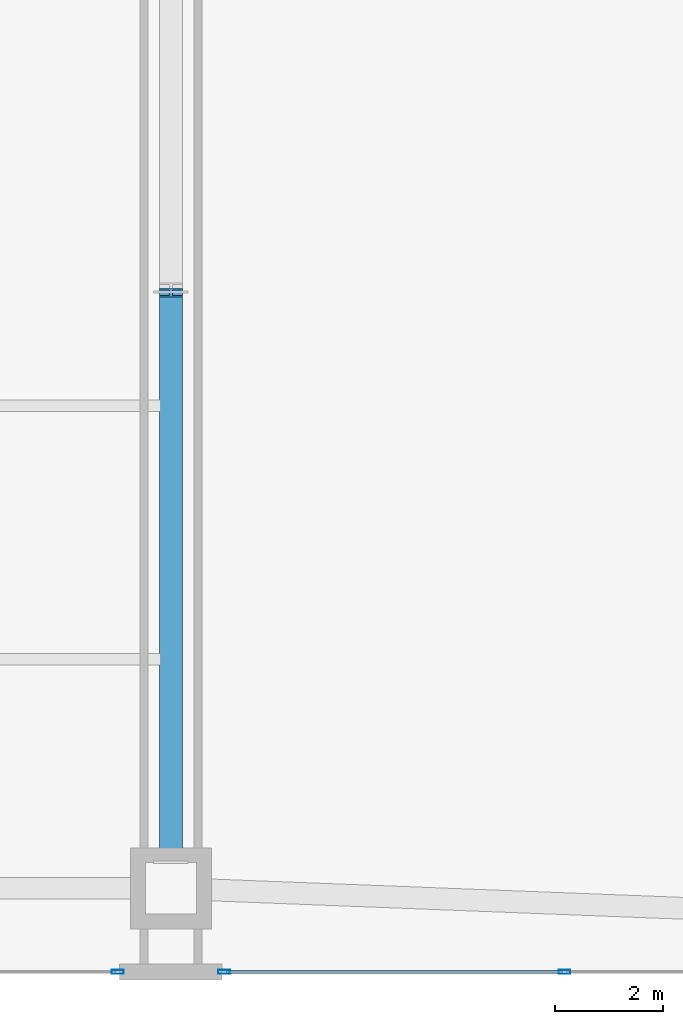
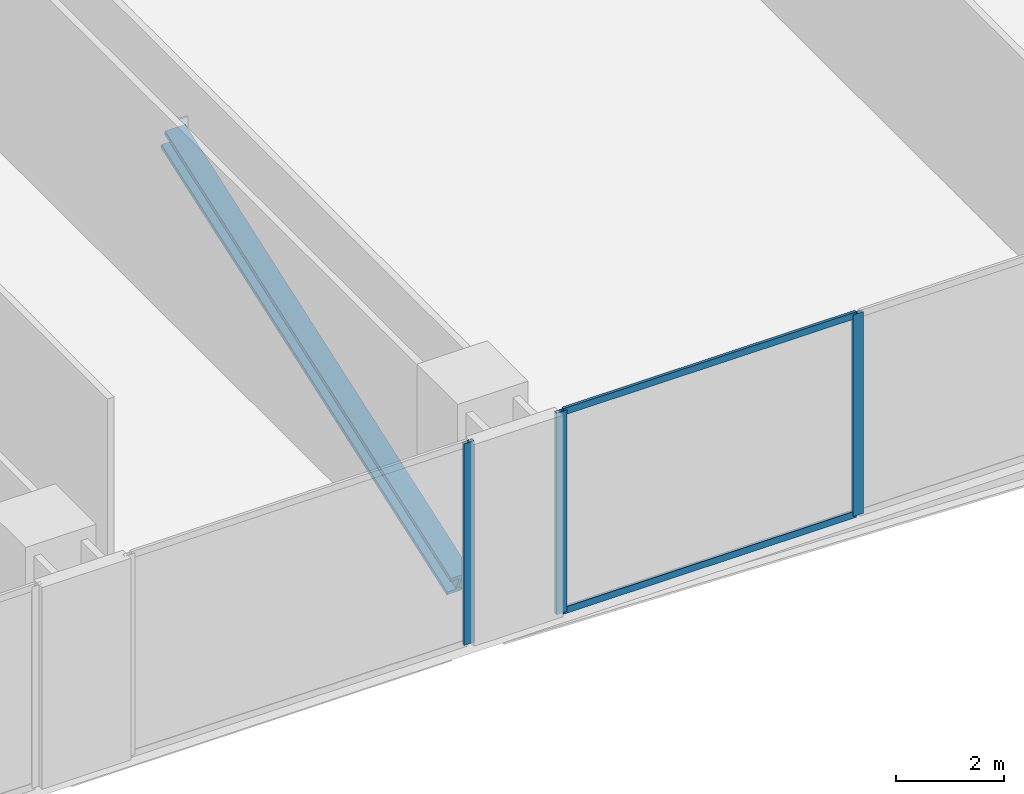
# One storey, part 11 of 33: 6 members, 2 elements without a shape of their own.
"""IFC4 building model written with IfcOpenShell, lengths in metres."""

import ifcopenshell
import ifcopenshell.guid

model = None  # the IFC model being written
_history = None  # IfcOwnerHistory: only IFC2X3 demands one
_inside = {}  # id of a spatial element -> (the spatial element, [elements in it])
_under = {}  # id of a project, library or spatial element -> (it, [spatial elements below it])
_declared = {}  # id of a project -> (the project, [libraries it declares])
_typed = {}  # id of a type object -> (the type object, [elements of that type])
_made_of = {}  # id of a material, layer set ... -> (it, [elements and type objects made of it])


def new_model(schema):
    """Start an empty IFC model of exactly this schema.

    Asked for "IFC4X3", IfcOpenShell would pick the latest addendum, in which some entities
    have other attributes; the version numbers below select the first issue.
    IFC2X3 requires an IfcOwnerHistory on every rooted entity: one is made here for all.
    """
    global model, _history
    if schema == "IFC4X3":
        model = ifcopenshell.file(schema_version=(4, 3, 0, 0))
    else:
        model = ifcopenshell.file(schema=schema)
    _inside.clear()
    _under.clear()
    _declared.clear()
    _typed.clear()
    _made_of.clear()
    _history = None
    if model.schema == "IFC2X3":
        org = make("IfcOrganization", Name="unknown")
        user = make(
            "IfcPersonAndOrganization",
            ThePerson=make("IfcPerson", FamilyName="unknown"),
            TheOrganization=org,
        )
        app = make(
            "IfcApplication",
            ApplicationDeveloper=org,
            Version="unknown",
            ApplicationFullName="unknown",
            ApplicationIdentifier="unknown",
        )
        _history = make(
            "IfcOwnerHistory",
            OwningUser=user,
            OwningApplication=app,
            ChangeAction="ADDED",
            CreationDate=0,
        )
    return model


def make(cls, **values):
    """One entity of the class cls with the attributes given. An attribute that is None is left unset."""
    return model.create_entity(
        cls, **{name: value for name, value in values.items() if value is not None}
    )


def rooted(cls, **values):
    """An entity with a GlobalId (a new one), such as an element, a storey or a relation."""
    return make(cls, GlobalId=ifcopenshell.guid.new(), OwnerHistory=_history, **values)


def si_unit(unit_type, name, prefix=None):
    """IfcSIUnit, for example si_unit("LENGTHUNIT", "METRE", prefix="MILLI")."""
    return make("IfcSIUnit", UnitType=unit_type, Prefix=prefix, Name=name)


def assignment(units):
    """IfcUnitAssignment: the units of a project."""
    return None if units is None else make("IfcUnitAssignment", Units=units)


def point(xyz):
    """IfcCartesianPoint."""
    return None if xyz is None else make("IfcCartesianPoint", Coordinates=xyz)


def direction(xyz):
    """IfcDirection."""
    return None if xyz is None else make("IfcDirection", DirectionRatios=xyz)


def frame(location, z_axis=None, x_axis=None):
    """IfcAxis2Placement3D, a coordinate frame: its origin and axes. An axis left out is left unset."""
    return make(
        "IfcAxis2Placement3D",
        Location=point(location),
        Axis=direction(z_axis),
        RefDirection=direction(x_axis),
    )


def frame_2d(location, x_axis=None):
    """IfcAxis2Placement2D, a coordinate frame in the plane: its origin and x axis."""
    return make(
        "IfcAxis2Placement2D", Location=point(location), RefDirection=direction(x_axis)
    )


def origin():
    """The frame at (0, 0, 0) with its axes left unset."""
    return frame((0.0, 0.0, 0.0))


def origin_2d():
    """The frame at (0, 0) in the plane with its x axis left unset."""
    return frame_2d((0.0, 0.0))


def place(relative_to, where):
    """IfcLocalPlacement: puts the frame where relative to a parent placement (None: the world)."""
    return make(
        "IfcLocalPlacement", PlacementRelTo=relative_to, RelativePlacement=where
    )


def context(
    kind, dimensions, precision=None, world=None, true_north=None, identifier=None
):
    """IfcGeometricRepresentationContext, for example the 3D "Model" context."""
    return make(
        "IfcGeometricRepresentationContext",
        ContextIdentifier=identifier,
        ContextType=kind,
        CoordinateSpaceDimension=dimensions,
        Precision=precision,
        WorldCoordinateSystem=world,
        TrueNorth=true_north,
    )


def subcontext(parent, identifier, kind, view, scale=None):
    """IfcGeometricRepresentationSubContext, for example "Body" below "Model"."""
    return make(
        "IfcGeometricRepresentationSubContext",
        ContextIdentifier=identifier,
        ContextType=kind,
        ParentContext=parent,
        TargetScale=scale,
        TargetView=view,
    )


def project(units=None, contexts=None):
    """IfcProject with its units and contexts."""
    return rooted(
        "IfcProject",
        Name="project",
        RepresentationContexts=contexts,
        UnitsInContext=assignment(units),
    )


def spatial(cls, under=None, at=None, **own):
    """A site, building, storey or space (cls), placed at a placement, below another one or the project."""
    s = rooted(cls, ObjectPlacement=at, **own)
    if under is not None:
        _under.setdefault(under.id(), (under, []))[1].append(s)
    return s


def profile(cls, at=None, kind="AREA", **sizes):
    """A parametric profile (cls). Its sizes go by their IFC names, for example OverallWidth=200.0."""
    return make(cls, ProfileType=kind, Position=at, **sizes)


def hollow_rectangle(**sizes):
    """IfcRectangleHollowProfileDef."""
    return profile("IfcRectangleHollowProfileDef", **sizes)


def i_section(**sizes):
    """IfcIShapeProfileDef."""
    return profile("IfcIShapeProfileDef", **sizes)


def extrude(swept, where, along, depth):
    """IfcExtrudedAreaSolid: the profile swept, set in the frame where, extruded along a direction by depth."""
    return make(
        "IfcExtrudedAreaSolid",
        SweptArea=swept,
        Position=where,
        ExtrudedDirection=direction(along),
        Depth=depth,
    )


def shape(context_of_items, identifier, shape_type, items):
    """IfcShapeRepresentation: the items that make up one representation, for example the "Body"."""
    return make(
        "IfcShapeRepresentation",
        ContextOfItems=context_of_items,
        RepresentationIdentifier=identifier,
        RepresentationType=shape_type,
        Items=items,
    )


def material(Name=None, Category=None):
    """IfcMaterial."""
    return make("IfcMaterial", Name=Name, Category=Category)


def layer(
    of_material, thickness, ventilated=None, Name=None, Category=None, Priority=None
):
    """IfcMaterialLayer: one layer of a wall or slab, of a material (None: an air gap)."""
    return make(
        "IfcMaterialLayer",
        Material=of_material,
        LayerThickness=thickness,
        IsVentilated=ventilated,
        Name=Name,
        Category=Category,
        Priority=Priority,
    )


def layer_set(layers, Name=None):
    """IfcMaterialLayerSet."""
    return make("IfcMaterialLayerSet", MaterialLayers=layers, LayerSetName=Name)


def material_profile(
    of_material, cross_section, Name=None, Category=None, Priority=None
):
    """IfcMaterialProfile: a cross section and its material."""
    return make(
        "IfcMaterialProfile",
        Name=Name,
        Material=of_material,
        Profile=cross_section,
        Priority=Priority,
        Category=Category,
    )


def profile_set(profiles, Name=None, composite=None):
    """IfcMaterialProfileSet."""
    return make(
        "IfcMaterialProfileSet",
        Name=Name,
        MaterialProfiles=profiles,
        CompositeProfile=composite,
    )


def made_of(thing, what):
    """Note that an element or type object is made of a material, layer set ...; save() writes the relation."""
    if what is not None:
        _made_of.setdefault(what.id(), (what, []))[1].append(thing)
    return thing


def type_object(cls, material=None, **own):
    """A type object (cls), such as IfcWallType, which elements share."""
    return made_of(rooted(cls, **own), material)


def element(
    cls,
    number,
    at=None,
    inside=None,
    cuts=None,
    type_object=None,
    material=None,
    context=None,
    identifier="Body",
    shape_type=None,
    held_by="IfcProductDefinitionShape",
    body=None,
    shapes=None,
    **own,
):
    """One element of the class cls, such as IfcWall. Its Tag is "e" and its number.

    at: its placement. inside: the storey or other place that contains it. cuts: it is an
    opening in that element (IfcRelVoidsElement). A single representation is given by context,
    identifier, shape_type and body (its items); several are given by shapes. held_by: the class
    of the entity that holds the representations. save() writes the other relations.
    """
    e = rooted(cls, Tag="e%d" % number, ObjectPlacement=at, **own)
    if body is not None:
        shapes = [shape(context, identifier, shape_type, body)]
    if shapes is not None:
        e.Representation = make(held_by, Representations=shapes)
    if inside is not None:
        _inside.setdefault(inside.id(), (inside, []))[1].append(e)
    if cuts is not None:
        rooted(
            "IfcRelVoidsElement", RelatingBuildingElement=cuts, RelatedOpeningElement=e
        )
    if type_object is not None:
        _typed.setdefault(type_object.id(), (type_object, []))[1].append(e)
    return made_of(e, material)


def aggregate(whole, parts):
    """IfcRelAggregates: a whole, such as a stair, and the parts it consists of."""
    return rooted("IfcRelAggregates", RelatingObject=whole, RelatedObjects=parts)


def save(model, path):
    """Write the relations noted so far, then the file.

    IfcRelAggregates (storeys below a building ...), IfcRelContainedInSpatialStructure (elements
    in a storey), IfcRelDefinesByType, IfcRelAssociatesMaterial and IfcRelDeclares: one each for
    every whole, place, type object, material and project.
    """
    for whole, parts in _under.values():
        aggregate(whole, parts)
    for where, things in _inside.values():
        rooted(
            "IfcRelContainedInSpatialStructure",
            RelatedElements=things,
            RelatingStructure=where,
        )
    for kind, things in _typed.values():
        rooted("IfcRelDefinesByType", RelatedObjects=things, RelatingType=kind)
    for what, things in _made_of.values():
        rooted("IfcRelAssociatesMaterial", RelatedObjects=things, RelatingMaterial=what)
    for by, libraries in _declared.values():
        rooted("IfcRelDeclares", RelatingContext=by, RelatedDefinitions=libraries)
    model.write(path)


model = new_model("IFC4")

# Units and contexts
model_context = context("Model", 3, precision=1e-05, world=origin(), true_north=direction((0.0, 1.0)))
body_context = subcontext(model_context, "Body", "Model", "MODEL_VIEW")
ifc_project = project(units=[si_unit("LENGTHUNIT", "METRE"), si_unit("AREAUNIT", "SQUARE_METRE"), si_unit("VOLUMEUNIT", "CUBIC_METRE"), si_unit("PLANEANGLEUNIT", "RADIAN"), si_unit("MASSUNIT", "GRAM", prefix="KILO")], contexts=[model_context])

# Site, building, storey
site_placement = place(None, origin())
site = spatial("IfcSite", under=ifc_project, at=site_placement, CompositionType="ELEMENT")
building_placement = place(site_placement, origin())
building = spatial("IfcBuilding", under=site, at=building_placement, Name="Zuhayl Quay Hotel", CompositionType="ELEMENT")
storey_placement = place(building_placement, frame((0.0, 0.0, 18.0)))
storey = spatial("IfcBuildingStorey", under=building, at=storey_placement, Name="L03", CompositionType="ELEMENT", Elevation=18.0)

# Curtain wall, members
ifc_material_1 = material(Name="Anodised Aluminium 6063-T6", Category="aluminium")
ifc_layer = layer(ifc_material_1, 0.199951171875, Name="Anodised Aluminium 6063-T6", Category="aluminium")
ifc_layer_set = layer_set([ifc_layer], Name="Anodised Aluminium 6063-T6")
curtain_wall_type = type_object("IfcCurtainWallType", Name="CW_SYS_POD", PredefinedType="USERDEFINED", material=ifc_layer_set)
curtain_wall_1_placement = place(storey_placement, origin())
curtain_wall_1 = element("IfcCurtainWall", 1, at=curtain_wall_1_placement, inside=storey, type_object=curtain_wall_type, Name="L03 Curtain Wall ENV_L03_E11_CW1", ObjectType="UNITISED CURTAIN WALL", PredefinedType="USERDEFINED")
ifc_material_2 = material(Name="Black-anodised aluminium 6063-T6", Category="aluminium")
ifc_material_profile_1 = material_profile(ifc_material_2, hollow_rectangle(XDim=0.074951171875, YDim=0.219970703125, WallThickness=0.00390625, at=origin_2d()), Name="ALU220X75")
ifc_profile_set_1 = profile_set([ifc_material_profile_1], Name="Black-anodised aluminium 6063-T6")
member_type_1 = type_object("IfcMemberType", Name="MB_CW_MUL_220", PredefinedType="MULLION", material=ifc_profile_set_1)
member_1_placement = place(storey_placement, frame((21.10009765625, -24.0, 0.0), z_axis=(0.0, 0.0, 1.0), x_axis=(0.0, -1.0, 0.0)))
member_1 = element("IfcMember", 2, at=member_1_placement, type_object=member_type_1, Name="CW-POD mullion 2", PredefinedType="MULLION", context=body_context, shape_type="SweptSolid", body=[
    extrude(hollow_rectangle(XDim=0.074951171875, YDim=0.219970703125, WallThickness=0.00390625, at=origin_2d()), origin(), (0.0, 0.0, 1.0), 4.5400390625),
])
member_2_placement = place(storey_placement, frame((14.78759765625, -24.0, 0.0), z_axis=(0.0, 0.0, 1.0), x_axis=(0.0, -1.0, 0.0)))
member_2 = element("IfcMember", 3, at=member_2_placement, type_object=member_type_1, Name="CW-POD mullion 3", PredefinedType="MULLION", context=body_context, shape_type="SweptSolid", body=[
    extrude(hollow_rectangle(XDim=0.074951171875, YDim=0.219970703125, WallThickness=0.00390625, at=origin_2d()), origin(), (0.0, 0.0, 1.0), 4.5400390625),
])

# Curtain wall, member
curtain_wall_2_placement = place(storey_placement, origin())
curtain_wall_2 = element("IfcCurtainWall", 4, at=curtain_wall_2_placement, inside=storey, type_object=curtain_wall_type, Name="L03 Curtain Wall ENV_L03_E11_CW2", ObjectType="UNITISED CURTAIN WALL", PredefinedType="USERDEFINED")
member_3_placement = place(storey_placement, frame((12.8125, -24.0, 0.0), z_axis=(0.0, 0.0, 1.0), x_axis=(0.0, -1.0, 0.0)))
member_3 = element("IfcMember", 5, at=member_3_placement, type_object=member_type_1, Name="CW-POD mullion 1", PredefinedType="MULLION", context=body_context, shape_type="SweptSolid", body=[
    extrude(hollow_rectangle(XDim=0.074951171875, YDim=0.219970703125, WallThickness=0.00390625, at=origin_2d()), origin(), (0.0, 0.0, 1.0), 4.5400390625),
])
aggregate(curtain_wall_2, [member_3])

# Member
ifc_material_profile_2 = material_profile(ifc_material_2, hollow_rectangle(XDim=0.06005859375, YDim=0.14990234375, WallThickness=0.00341796875, at=origin_2d()), Name="ALU150X60")
ifc_profile_set_2 = profile_set([ifc_material_profile_2], Name="Black-anodised aluminium 6063-T6")
member_type_2 = type_object("IfcMemberType", Name="MB_CW_TRN_150", PredefinedType="USERDEFINED", material=ifc_profile_set_2)
member_4_placement = place(storey_placement, frame((21.0625, -24.0, 0.030029296875), z_axis=(-1.0, 0.0, 0.0), x_axis=(0.0, -1.0, 0.0)))
member_4 = element("IfcMember", 6, at=member_4_placement, type_object=member_type_2, Name="CW-POD transom 2.1", ObjectType="TRANSOM", PredefinedType="USERDEFINED", context=body_context, shape_type="SweptSolid", body=[
    extrude(hollow_rectangle(XDim=0.06005859375, YDim=0.14990234375, WallThickness=0.00341796875, at=origin_2d()), origin(), (0.0, 0.0, 1.0), 6.237548828125),
])

member_5_placement = place(storey_placement, frame((21.0625, -24.0, 4.510009765625), z_axis=(-1.0, 0.0, 0.0), x_axis=(0.0, -1.0, 0.0)))
member_5 = element("IfcMember", 7, at=member_5_placement, type_object=member_type_2, Name="CW-POD transom 2.2", ObjectType="TRANSOM", PredefinedType="USERDEFINED", context=body_context, shape_type="SweptSolid", body=[
    extrude(hollow_rectangle(XDim=0.06005859375, YDim=0.14990234375, WallThickness=0.00341796875, at=origin_2d()), origin(), (0.0, 0.0, 1.0), 6.237548828125),
])

aggregate(curtain_wall_1, [member_1, member_2, member_4, member_5])

ifc_material_3 = material(Name="Steel ASTM A913 Grade 65", Category="steel")
ifc_material_profile_3 = material_profile(ifc_material_3, i_section(OverallWidth=0.431884765625, OverallDepth=0.498046875, WebThickness=0.0556640625, FlangeThickness=0.0888671875, at=origin_2d()), Name="W14X500")
ifc_profile_set_3 = profile_set([ifc_material_profile_3], Name="Steel ASTM A913 Grade 65")
member_type_3 = type_object("IfcMemberType", Name="MB_TT_DIAG_500", PredefinedType="BRACE", material=ifc_profile_set_3)
member_6_placement = place(storey_placement, frame((13.800048828125, -21.949951171875, -0.25), z_axis=(0.0, 0.944209030718, 0.32934678731), x_axis=(-1.0, 0.0, 0.0)))
element("IfcMember", 8, at=member_6_placement, inside=storey, type_object=member_type_3, Name="L03 Ballroom Transfer Truss TT1-4 Diagonal 1", PredefinedType="BRACE", context=body_context, shape_type="SweptSolid", body=[
    extrude(i_section(OverallWidth=0.431884765625, OverallDepth=0.498046875, WebThickness=0.0556640625, FlangeThickness=0.0888671875, at=origin_2d()), origin(), (0.0, 0.0, 1.0), 11.17333984375),
])

save(model, "model.ifc")
